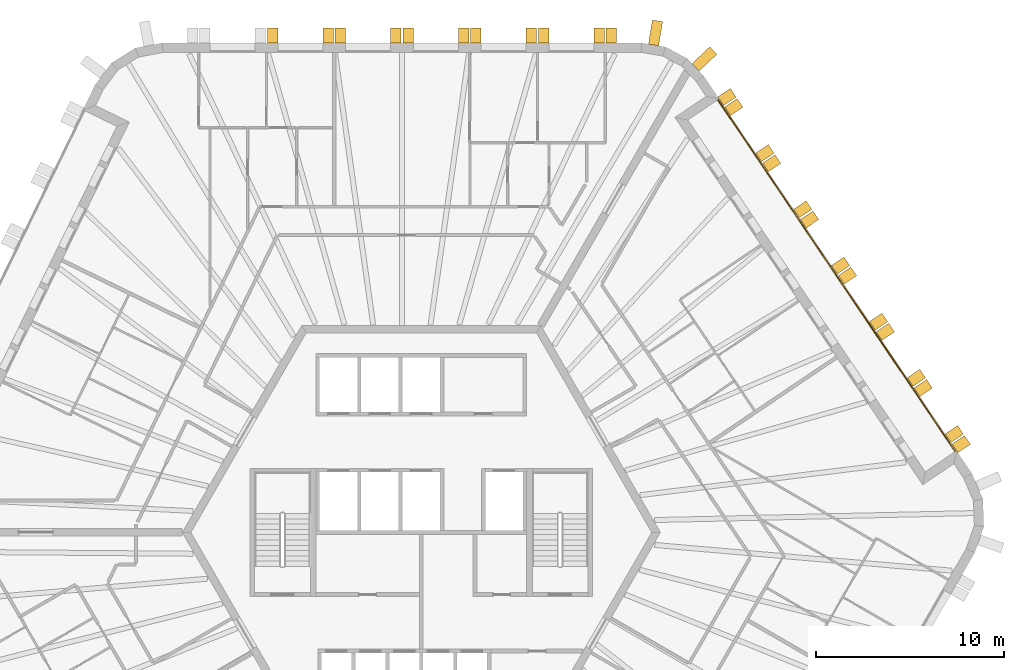
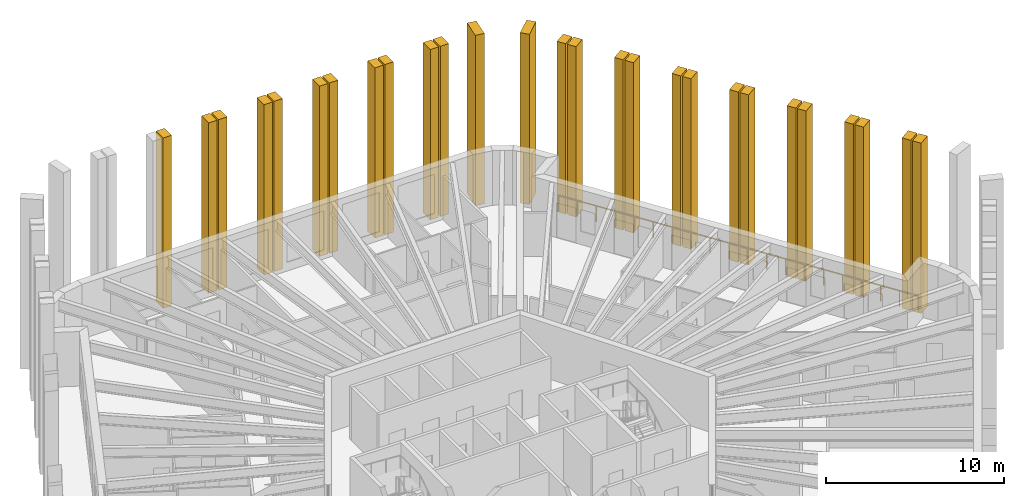
# One storey, part 13 of 13: 27 shading devices, 1 railing.
"""IFC4 building model written with IfcOpenShell, lengths in metres."""

from ifc_helpers import new_model, si_unit, direction, frame, origin, origin_2d, place, context, subcontext, project, spatial, polyline, circle, outline, extrude, material, layer, layer_set, type_object, element, save


model = new_model("IFC4")

# Units and contexts
model_context = context("Model", 3, precision=1e-05, world=origin(), true_north=direction((0.0, 1.0)))
body_context = subcontext(model_context, "Body", "Model", "MODEL_VIEW")
ifc_project = project(units=[si_unit("LENGTHUNIT", "METRE"), si_unit("AREAUNIT", "SQUARE_METRE"), si_unit("VOLUMEUNIT", "CUBIC_METRE"), si_unit("PLANEANGLEUNIT", "RADIAN"), si_unit("MASSUNIT", "GRAM", prefix="KILO")], contexts=[model_context])

# Site, building, storey
site_placement = place(None, origin())
site = spatial("IfcSite", under=ifc_project, at=site_placement, CompositionType="ELEMENT")
building_placement = place(site_placement, origin())
building = spatial("IfcBuilding", under=site, at=building_placement, Name="Tarnside Tower", CompositionType="ELEMENT")
storey_placement = place(building_placement, frame((0.0, 0.0, 279.60009765625)))
storey = spatial("IfcBuildingStorey", under=building, at=storey_placement, Name="L67", CompositionType="ELEMENT", Elevation=279.60009765625)

# Railing
ifc_material_1 = material(Name="Toughened glass", Category="glass")
railing_type = type_object("IfcRailingType", Name="Glass guard 1100", PredefinedType="GUARDRAIL", material=ifc_material_1)
railing_placement = place(storey_placement, frame((28.365234375, 4.299560546875, 0.0)))
element("IfcRailing", 1, at=railing_placement, inside=storey, type_object=railing_type, Name="Loggia guard L67 F6", PredefinedType="GUARDRAIL", context=body_context, shape_type="SweptSolid", body=[
    extrude(circle(Radius=0.030029296875, at=origin_2d()), frame((0.0, 0.0, 1.070068359375), z_axis=(-0.559195329741, 0.82903593601, 0.0), x_axis=(-0.82903593601, -0.559195329741, 0.0)), (0.0, 0.0, 1.0), 22.544677734375),
    extrude(circle(Radius=0.02490234375, at=origin_2d()), origin(), (0.0, 0.0, 1.0), 1.0400390625),
    extrude(circle(Radius=0.02490234375, at=origin_2d()), frame((-0.66357421875, 0.983642578125, 0.0)), (0.0, 0.0, 1.0), 1.0400390625),
    extrude(circle(Radius=0.02490234375, at=origin_2d()), frame((-1.3271484375, 1.967529296875, 0.0)), (0.0, 0.0, 1.0), 1.0400390625),
    extrude(circle(Radius=0.02490234375, at=origin_2d()), frame((-1.990478515625, 2.951171875, 0.0)), (0.0, 0.0, 1.0), 1.0400390625),
    extrude(circle(Radius=0.02490234375, at=origin_2d()), frame((-2.654052734375, 3.934814453125, 0.0)), (0.0, 0.0, 1.0), 1.0400390625),
    extrude(circle(Radius=0.02490234375, at=origin_2d()), frame((-3.317626953125, 4.91845703125, 0.0)), (0.0, 0.0, 1.0), 1.0400390625),
    extrude(circle(Radius=0.02490234375, at=origin_2d()), frame((-3.981201171875, 5.90234375, 0.0)), (0.0, 0.0, 1.0), 1.0400390625),
    extrude(circle(Radius=0.02490234375, at=origin_2d()), frame((-4.644775390625, 6.885986328125, 0.0)), (0.0, 0.0, 1.0), 1.0400390625),
    extrude(circle(Radius=0.02490234375, at=origin_2d()), frame((-5.30810546875, 7.86962890625, 0.0)), (0.0, 0.0, 1.0), 1.0400390625),
    extrude(circle(Radius=0.02490234375, at=origin_2d()), frame((-5.9716796875, 8.853271484375, 0.0)), (0.0, 0.0, 1.0), 1.0400390625),
    extrude(circle(Radius=0.02490234375, at=origin_2d()), frame((-6.63525390625, 9.837158203125, 0.0)), (0.0, 0.0, 1.0), 1.0400390625),
    extrude(circle(Radius=0.02490234375, at=origin_2d()), frame((-7.298828125, 10.82080078125, 0.0)), (0.0, 0.0, 1.0), 1.0400390625),
    extrude(circle(Radius=0.02490234375, at=origin_2d()), frame((-7.962158203125, 11.804443359375, 0.0)), (0.0, 0.0, 1.0), 1.0400390625),
    extrude(circle(Radius=0.02490234375, at=origin_2d()), frame((-8.625732421875, 12.7880859375, 0.0)), (0.0, 0.0, 1.0), 1.0400390625),
    extrude(circle(Radius=0.02490234375, at=origin_2d()), frame((-9.289306640625, 13.77197265625, 0.0)), (0.0, 0.0, 1.0), 1.0400390625),
    extrude(circle(Radius=0.02490234375, at=origin_2d()), frame((-9.952880859375, 14.755615234375, 0.0)), (0.0, 0.0, 1.0), 1.0400390625),
    extrude(circle(Radius=0.02490234375, at=origin_2d()), frame((-10.616455078125, 15.7392578125, 0.0)), (0.0, 0.0, 1.0), 1.0400390625),
    extrude(circle(Radius=0.02490234375, at=origin_2d()), frame((-11.27978515625, 16.722900390625, 0.0)), (0.0, 0.0, 1.0), 1.0400390625),
    extrude(circle(Radius=0.02490234375, at=origin_2d()), frame((-11.943359375, 17.706787109375, 0.0)), (0.0, 0.0, 1.0), 1.0400390625),
    extrude(circle(Radius=0.02490234375, at=origin_2d()), frame((-12.60693359375, 18.6904296875, 0.0)), (0.0, 0.0, 1.0), 1.0400390625),
])

# Shading devices
ifc_material_2 = material(Name="Concrete C50/60 white precast", Category="concrete")
ifc_layer_1 = layer(ifc_material_2, 0.550048828125)
ifc_layer_set_1 = layer_set([ifc_layer_1], Name="Precast fin 550 x 1300")
shading_device_type_1 = type_object("IfcShadingDeviceType", Name="Precast fin 550 x 1300", PredefinedType="USERDEFINED", material=ifc_layer_set_1)
for number, where, z_axis, x_axis, name in (
    (2, (14.571044921875, 24.7109375, -0.150146484375), (0.686241637865, -0.727373641577, 0.0), (0.727373641577, 0.686241637865, 0.0), "Precast fin"),
    (3, (12.33837890625, 25.89794921875, -0.150146484375), (0.986761532114, -0.1621779231, 0.0), (0.1621779231, 0.986761532114, 0.0), "Precast fin"),
):
    element("IfcShadingDevice", number, at=place(storey_placement, frame(where, z_axis=z_axis, x_axis=x_axis)), inside=storey, type_object=shading_device_type_1, Name=name, ObjectType="FIN", PredefinedType="USERDEFINED", context=body_context, shape_type="SweptSolid", body=[
        extrude(outline(polyline([(0.0, 0.0), (1.300048828125, 0.0), (1.300048828125, 11.699951171875), (0.0, 11.699951171875), (0.0, 0.0)])), frame((0.0, 0.0, -0.27490234375)), (0.0, 0.0, 1.0), 0.550048828125),
    ])
ifc_layer_2 = layer(ifc_material_2, 0.550048828125)
ifc_layer_set_2 = layer_set([ifc_layer_2], Name="Precast fin 550 x 800")
shading_device_type_2 = type_object("IfcShadingDeviceType", Name="Precast fin 550 x 800", PredefinedType="USERDEFINED", material=ifc_layer_set_2)
for number, where, z_axis, x_axis, name in (
    (4, (10.10009765625, 26.0, -0.150146484375), (1.0, 0.0, 0.0), (0.0, 1.0, 0.0), "Precast fin"),
    (5, (9.4501953125, 26.0, -0.150146484375), (1.0, 0.0, 0.0), (0.0, 1.0, 0.0), "Precast fin"),
    (6, (6.500244140625, 26.0, -0.150146484375), (1.0, 0.0, 0.0), (0.0, 1.0, 0.0), "Precast fin"),
    (7, (5.85009765625, 26.0, -0.150146484375), (1.0, 0.0, 0.0), (0.0, 1.0, 0.0), "Precast fin"),
    (8, (2.900146484375, 26.0, -0.150146484375), (1.0, 0.0, 0.0), (0.0, 1.0, 0.0), "Precast fin"),
    (9, (2.250244140625, 26.0, -0.150146484375), (1.0, 0.0, 0.0), (0.0, 1.0, 0.0), "Precast fin"),
    (10, (-0.69970703125, 26.0, -0.150146484375), (1.0, 0.0, 0.0), (0.0, 1.0, 0.0), "Precast fin"),
    (11, (-1.349853515625, 26.0, -0.150146484375), (1.0, 0.0, 0.0), (0.0, 1.0, 0.0), "Precast fin"),
    (12, (-4.2998046875, 26.0, -0.150146484375), (1.0, 0.0, 0.0), (0.0, 1.0, 0.0), "Precast fin"),
    (13, (-4.94970703125, 26.0, -0.150146484375), (1.0, 0.0, 0.0), (0.0, 1.0, 0.0), "Precast fin"),
    (14, (-7.89990234375, 26.0, -0.150146484375), (1.0, 0.0, 0.0), (0.0, 1.0, 0.0), "Precast fin"),
    (15, (28.34912109375, 4.466552734375, -0.150146484375), (0.559192903471, -0.829037572555, 0.0), (0.829037572555, 0.559192903471, 0.0), "Precast fin"),
    (16, (27.985595703125, 5.00537109375, -0.150146484375), (0.559192903471, -0.829037572555, 0.0), (0.829037572555, 0.559192903471, 0.0), "Precast fin"),
    (17, (26.3359375, 7.450927734375, -0.150146484375), (0.559192903471, -0.829037572555, 0.0), (0.829037572555, 0.559192903471, 0.0), "Precast fin"),
    (18, (25.972412109375, 7.98974609375, -0.150146484375), (0.559192903471, -0.829037572555, 0.0), (0.829037572555, 0.559192903471, 0.0), "Precast fin"),
    (19, (24.32275390625, 10.435546875, -0.150146484375), (0.559192903471, -0.829037572555, 0.0), (0.829037572555, 0.559192903471, 0.0), "Precast fin"),
    (20, (23.95947265625, 10.974365234375, -0.150146484375), (0.559192903471, -0.829037572555, 0.0), (0.829037572555, 0.559192903471, 0.0), "Precast fin"),
    (21, (22.309814453125, 13.419921875, -0.150146484375), (0.559192903471, -0.829037572555, 0.0), (0.829037572555, 0.559192903471, 0.0), "Precast fin"),
    (22, (21.9462890625, 13.958984375, -0.150146484375), (0.559192903471, -0.829037572555, 0.0), (0.829037572555, 0.559192903471, 0.0), "Precast fin"),
    (23, (20.296630859375, 16.404541015625, -0.150146484375), (0.559192903471, -0.829037572555, 0.0), (0.829037572555, 0.559192903471, 0.0), "Precast fin"),
    (24, (19.93310546875, 16.943359375, -0.150146484375), (0.559192903471, -0.829037572555, 0.0), (0.829037572555, 0.559192903471, 0.0), "Precast fin"),
    (25, (18.283447265625, 19.38916015625, -0.150146484375), (0.559192903471, -0.829037572555, 0.0), (0.829037572555, 0.559192903471, 0.0), "Precast fin"),
    (26, (17.920166015625, 19.927978515625, -0.150146484375), (0.559192903471, -0.829037572555, 0.0), (0.829037572555, 0.559192903471, 0.0), "Precast fin"),
    (27, (16.2705078125, 22.37353515625, -0.150146484375), (0.559192903471, -0.829037572555, 0.0), (0.829037572555, 0.559192903471, 0.0), "Precast fin"),
    (28, (15.906982421875, 22.91259765625, -0.150146484375), (0.559192903471, -0.829037572555, 0.0), (0.829037572555, 0.559192903471, 0.0), "Precast fin"),
):
    element("IfcShadingDevice", number, at=place(storey_placement, frame(where, z_axis=z_axis, x_axis=x_axis)), inside=storey, type_object=shading_device_type_2, Name=name, ObjectType="FIN", PredefinedType="USERDEFINED", context=body_context, shape_type="SweptSolid", body=[
        extrude(outline(polyline([(0.0, 0.0), (0.800048828125, 0.0), (0.800048828125, 11.699951171875), (0.0, 11.699951171875), (0.0, 0.0)])), frame((0.0, 0.0, -0.27490234375)), (0.0, 0.0, 1.0), 0.550048828125),
    ])

save(model, "model.ifc")
